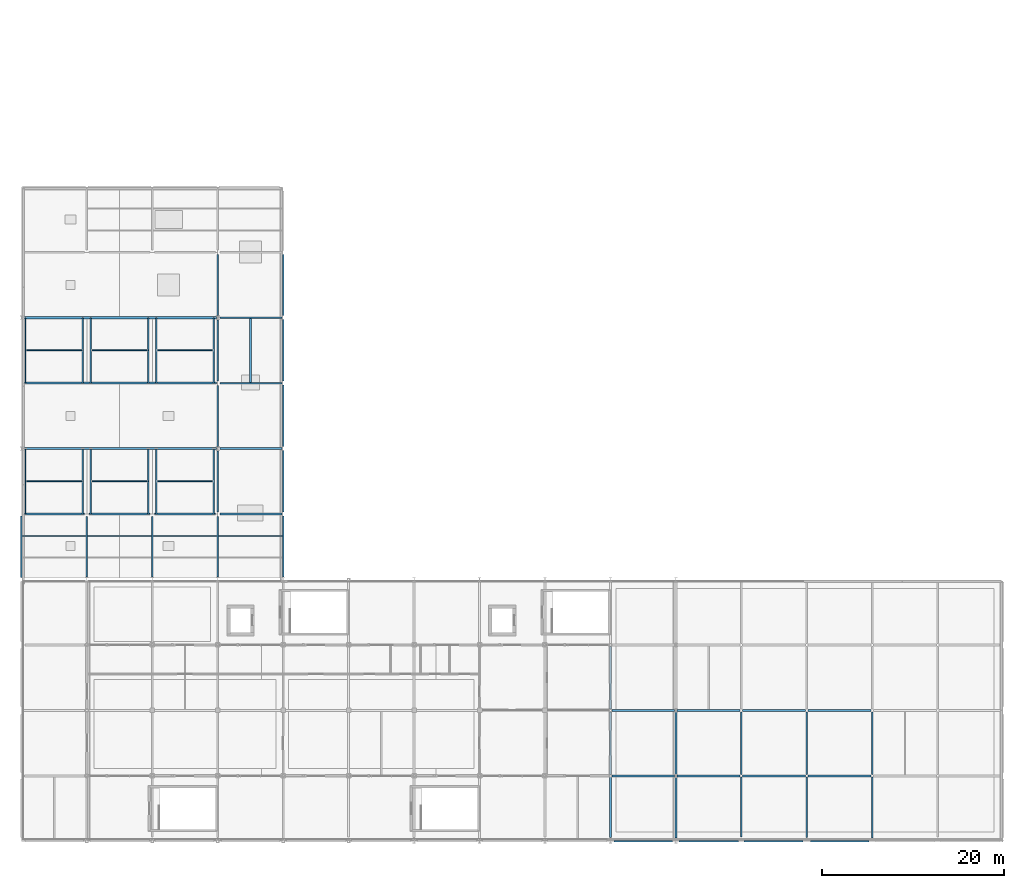
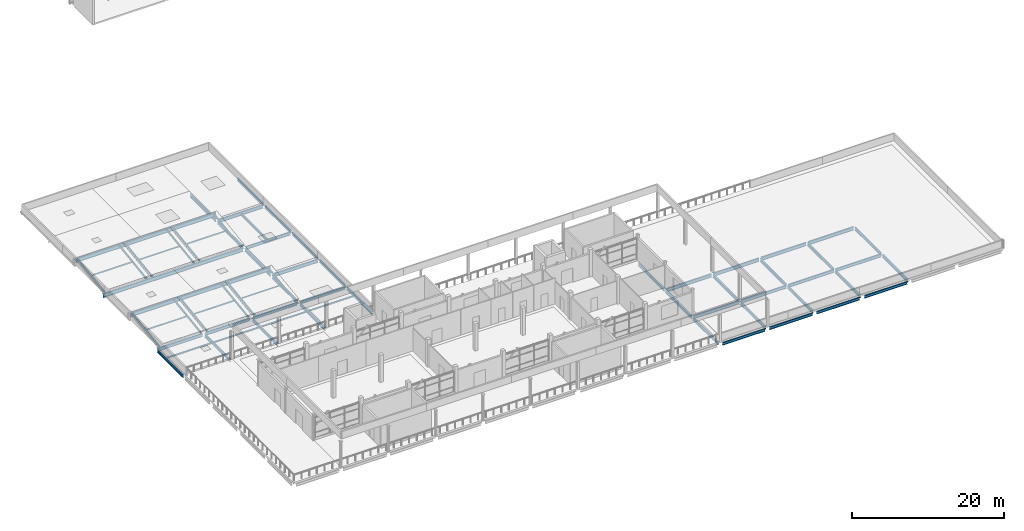
# One storey, part 13 of 32: 47 beams, 22 members.
"""IFC4 building model written with IfcOpenShell, lengths in metres."""

from ifc_helpers import new_model, si_unit, direction, frame, origin, origin_2d, place, context, subcontext, project, spatial, hollow_rectangle, i_section, extrude, material, material_profile, profile_set, type_object, element, save


model = new_model("IFC4")

# Units and contexts
model_context = context("Model", 3, precision=1e-05, world=origin(), true_north=direction((0.0, 1.0)))
body_context = subcontext(model_context, "Body", "Model", "MODEL_VIEW")
ifc_project = project(units=[si_unit("LENGTHUNIT", "METRE"), si_unit("AREAUNIT", "SQUARE_METRE"), si_unit("VOLUMEUNIT", "CUBIC_METRE"), si_unit("PLANEANGLEUNIT", "RADIAN"), si_unit("MASSUNIT", "GRAM", prefix="KILO")], contexts=[model_context])

# Site, building, storey
site_placement = place(None, origin())
site = spatial("IfcSite", under=ifc_project, at=site_placement, CompositionType="ELEMENT")
building_placement = place(site_placement, origin())
building = spatial("IfcBuilding", under=site, at=building_placement, Name="Sardonyx Promenade Sports Hall", CompositionType="ELEMENT")
storey_placement = place(building_placement, frame((0.0, 0.0, 20.39990234375)))
storey = spatial("IfcBuildingStorey", under=building, at=storey_placement, Name="L04", CompositionType="ELEMENT", Elevation=20.39990234375)

# Beams
ifc_material_1 = material(Name="Steel S355JR", Category="steel")
ifc_material_profile_1 = material_profile(ifc_material_1, i_section(OverallWidth=0.228271484375, OverallDepth=0.607666015625, WebThickness=0.010986328125, FlangeThickness=0.017333984375, at=origin_2d()))
ifc_profile_set_1 = profile_set([ifc_material_profile_1], Name="Steel S355JR")
beam_type_1 = type_object("IfcBeamType", Name="Bm_Girder_UB610", PredefinedType="BEAM", material=ifc_profile_set_1)
for number, where, z_axis, x_axis, name in (
    (1, (0.14990234375, 43.199951171875, 0.728271484375), (1.0, 0.0, 0.0), (0.0, 1.0, 0.0), "Clerestory high-edge girder Y=43.2"),
    (2, (0.14990234375, 57.60009765625, 0.728271484375), (1.0, 0.0, 0.0), (0.0, 1.0, 0.0), "Clerestory high-edge girder Y=57.6"),
    (3, (0.14990234375, 50.39990234375, -0.53369140625), (1.0, 0.0, 0.0), (0.0, 1.0, 0.0), "Climbing roof low-edge girder Y=50.4"),
):
    element("IfcBeam", number, at=place(storey_placement, frame(where, z_axis=z_axis, x_axis=x_axis)), inside=storey, type_object=beam_type_1, Name=name, PredefinedType="BEAM", context=body_context, shape_type="SweptSolid", body=[
        extrude(i_section(OverallWidth=0.228271484375, OverallDepth=0.607666015625, WebThickness=0.010986328125, FlangeThickness=0.017333984375, at=origin_2d()), origin(), (0.0, 0.0, 1.0), 21.300048828125),
    ])
ifc_material_2 = material(Name="Steel S355JR", Category="steel")
ifc_material_profile_2 = material_profile(ifc_material_2, i_section(OverallWidth=0.179931640625, OverallDepth=0.39990234375, WebThickness=0.008544921875, FlangeThickness=0.013427734375, at=origin_2d()))
ifc_profile_set_2 = profile_set([ifc_material_profile_2], Name="Steel S355JR")
beam_type_2 = type_object("IfcBeamType", Name="Bm_Joist_IPE400", PredefinedType="JOIST", material=ifc_profile_set_2)
beam_1_placement = place(storey_placement, frame((25.199951171875, 50.5, -0.429931640625), z_axis=(0.0, 1.0, 0.0), x_axis=(-1.0, 0.0, 0.0)))
element("IfcBeam", 4, at=beam_1_placement, inside=storey, type_object=beam_type_2, Name="Secondary joist SJ02 L04 #1094", PredefinedType="JOIST", context=body_context, shape_type="SweptSolid", body=[
    extrude(i_section(OverallWidth=0.179931640625, OverallDepth=0.39990234375, WebThickness=0.008544921875, FlangeThickness=0.013427734375, at=origin_2d()), origin(), (0.0, 0.0, 1.0), 6.9951171875),
])
ifc_material_3 = material(Name="Steel S355JR", Category="steel")
ifc_material_profile_3 = material_profile(ifc_material_3, i_section(OverallWidth=0.199951171875, OverallDepth=0.5, WebThickness=0.01025390625, FlangeThickness=0.01611328125, at=origin_2d()))
ifc_profile_set_3 = profile_set([ifc_material_profile_3], Name="Steel S355JR")
beam_type_3 = type_object("IfcBeamType", Name="Bm_Primary_IPE500", PredefinedType="BEAM", material=ifc_profile_set_3)
for number, where, z_axis, x_axis, name in (
    (5, (64.949951171875, 7.199951171875, -0.510009765625), (1.0, 0.0, 0.0), (0.0, 1.0, 0.0), "Beam SB06 L04 #960"),
    (6, (72.14990234375, 7.199951171875, -0.510009765625), (1.0, 0.0, 0.0), (0.0, 1.0, 0.0), "Beam SB06 L04 #961"),
):
    element("IfcBeam", number, at=place(storey_placement, frame(where, z_axis=z_axis, x_axis=x_axis)), inside=storey, type_object=beam_type_3, Name=name, PredefinedType="BEAM", context=body_context, shape_type="SweptSolid", body=[
        extrude(i_section(OverallWidth=0.199951171875, OverallDepth=0.5, WebThickness=0.01025390625, FlangeThickness=0.01611328125, at=origin_2d()), origin(), (0.0, 0.0, 1.0), 6.900146484375),
    ])
for number, where, z_axis, x_axis, name in (
    (7, (79.35009765625, 7.199951171875, -0.510009765625), (1.0, 0.0, 0.0), (0.0, 1.0, 0.0), "Beam SB06 L04 #962"),
    (8, (86.550048828125, 7.199951171875, -0.510009765625), (1.0, 0.0, 0.0), (0.0, 1.0, 0.0), "Beam SB06 L04 #963"),
):
    element("IfcBeam", number, at=place(storey_placement, frame(where, z_axis=z_axis, x_axis=x_axis)), inside=storey, type_object=beam_type_3, Name=name, PredefinedType="BEAM", context=body_context, shape_type="SweptSolid", body=[
        extrude(i_section(OverallWidth=0.199951171875, OverallDepth=0.5, WebThickness=0.01025390625, FlangeThickness=0.01611328125, at=origin_2d()), origin(), (0.0, 0.0, 1.0), 6.89990234375),
    ])
beam_2_placement = place(storey_placement, frame((0.14990234375, 36.0, -0.47998046875), z_axis=(1.0, 0.0, 0.0), x_axis=(0.0, 1.0, 0.0)))
element("IfcBeam", 9, at=beam_2_placement, inside=storey, type_object=beam_type_3, Name="Beam SB06 L04 #996", PredefinedType="BEAM", context=body_context, shape_type="SweptSolid", body=[
    extrude(i_section(OverallWidth=0.199951171875, OverallDepth=0.5, WebThickness=0.01025390625, FlangeThickness=0.01611328125, at=origin_2d()), origin(), (0.0, 0.0, 1.0), 6.800048828125),
])
beam_3_placement = place(storey_placement, frame((7.449951171875, 36.0, -0.47998046875), z_axis=(1.0, 0.0, 0.0), x_axis=(0.0, 1.0, 0.0)))
element("IfcBeam", 10, at=beam_3_placement, inside=storey, type_object=beam_type_3, Name="Beam SB06 L04 #997", PredefinedType="BEAM", context=body_context, shape_type="SweptSolid", body=[
    extrude(i_section(OverallWidth=0.199951171875, OverallDepth=0.5, WebThickness=0.01025390625, FlangeThickness=0.01611328125, at=origin_2d()), origin(), (0.0, 0.0, 1.0), 6.699951171875),
])
beam_4_placement = place(storey_placement, frame((14.64990234375, 36.0, -0.47998046875), z_axis=(1.0, 0.0, 0.0), x_axis=(0.0, 1.0, 0.0)))
element("IfcBeam", 11, at=beam_4_placement, inside=storey, type_object=beam_type_3, Name="Beam SB06 L04 #998", PredefinedType="BEAM", context=body_context, shape_type="SweptSolid", body=[
    extrude(i_section(OverallWidth=0.199951171875, OverallDepth=0.5, WebThickness=0.01025390625, FlangeThickness=0.01611328125, at=origin_2d()), origin(), (0.0, 0.0, 1.0), 6.7001953125),
])
for number, where, z_axis, x_axis, name in (
    (12, (21.85009765625, 36.0, -0.47998046875), (1.0, 0.0, 0.0), (0.0, 1.0, 0.0), "Beam SB06 L04 #999"),
    (13, (21.85009765625, 50.39990234375, -0.47998046875), (1.0, 0.0, 0.0), (0.0, 1.0, 0.0), "Beam SB06 L04 #1001"),
):
    element("IfcBeam", number, at=place(storey_placement, frame(where, z_axis=z_axis, x_axis=x_axis)), inside=storey, type_object=beam_type_3, Name=name, PredefinedType="BEAM", context=body_context, shape_type="SweptSolid", body=[
        extrude(i_section(OverallWidth=0.199951171875, OverallDepth=0.5, WebThickness=0.01025390625, FlangeThickness=0.01611328125, at=origin_2d()), origin(), (0.0, 0.0, 1.0), 6.7998046875),
    ])
for number, where, z_axis, x_axis, name in (
    (14, (7.199951171875, 29.050048828125, -0.47998046875), (0.0, 1.0, 0.0), (-1.0, 0.0, 0.0), "Beam SB06 L04 #1020"),
    (15, (14.39990234375, 29.050048828125, -0.47998046875), (0.0, 1.0, 0.0), (-1.0, 0.0, 0.0), "Beam SB06 L04 #1026"),
    (16, (21.60009765625, 29.050048828125, -0.47998046875), (0.0, 1.0, 0.0), (-1.0, 0.0, 0.0), "Beam SB06 L04 #1032"),
    (17, (21.60009765625, 36.25, -0.47998046875), (0.0, 1.0, 0.0), (-1.0, 0.0, 0.0), "Beam SB06 L04 #1033"),
    (18, (21.60009765625, 43.449951171875, -0.47998046875), (0.0, 1.0, 0.0), (-1.0, 0.0, 0.0), "Beam SB06 L04 #1034"),
):
    element("IfcBeam", number, at=place(storey_placement, frame(where, z_axis=z_axis, x_axis=x_axis)), inside=storey, type_object=beam_type_3, Name=name, PredefinedType="BEAM", context=body_context, shape_type="SweptSolid", body=[
        extrude(i_section(OverallWidth=0.199951171875, OverallDepth=0.5, WebThickness=0.01025390625, FlangeThickness=0.01611328125, at=origin_2d()), origin(), (0.0, 0.0, 1.0), 6.699951171875),
    ])
beam_5_placement = place(storey_placement, frame((21.60009765625, 50.64990234375, -0.47998046875), z_axis=(0.0, 1.0, 0.0), x_axis=(-1.0, 0.0, 0.0)))
element("IfcBeam", 19, at=beam_5_placement, inside=storey, type_object=beam_type_3, Name="Beam SB06 L04 #1035", PredefinedType="BEAM", context=body_context, shape_type="SweptSolid", body=[
    extrude(i_section(OverallWidth=0.199951171875, OverallDepth=0.5, WebThickness=0.01025390625, FlangeThickness=0.01611328125, at=origin_2d()), origin(), (0.0, 0.0, 1.0), 6.7001953125),
])
beam_6_placement = place(storey_placement, frame((21.60009765625, 57.85009765625, -0.47998046875), z_axis=(0.0, 1.0, 0.0), x_axis=(-1.0, 0.0, 0.0)))
element("IfcBeam", 20, at=beam_6_placement, inside=storey, type_object=beam_type_3, Name="Beam SB06 L04 #1036", PredefinedType="BEAM", context=body_context, shape_type="SweptSolid", body=[
    extrude(i_section(OverallWidth=0.199951171875, OverallDepth=0.5, WebThickness=0.01025390625, FlangeThickness=0.01611328125, at=origin_2d()), origin(), (0.0, 0.0, 1.0), 6.699951171875),
])
beam_7_placement = place(storey_placement, frame((28.800048828125, 29.050048828125, -0.47998046875), z_axis=(0.0, 1.0, 0.0), x_axis=(-1.0, 0.0, 0.0)))
element("IfcBeam", 21, at=beam_7_placement, inside=storey, type_object=beam_type_3, Name="Beam SB06 L04 #1042", PredefinedType="BEAM", context=body_context, shape_type="SweptSolid", body=[
    extrude(i_section(OverallWidth=0.199951171875, OverallDepth=0.5, WebThickness=0.01025390625, FlangeThickness=0.01611328125, at=origin_2d()), origin(), (0.0, 0.0, 1.0), 6.72998046875),
])
beam_8_placement = place(storey_placement, frame((64.800048828125, 0.39990234375, -0.510009765625), z_axis=(0.0, 1.0, 0.0), x_axis=(-1.0, 0.0, 0.0)))
element("IfcBeam", 22, at=beam_8_placement, inside=storey, type_object=beam_type_3, Name="Beam SB06 L04 #1064", PredefinedType="BEAM", context=body_context, shape_type="SweptSolid", body=[
    extrude(i_section(OverallWidth=0.199951171875, OverallDepth=0.5, WebThickness=0.01025390625, FlangeThickness=0.01611328125, at=origin_2d()), origin(), (0.0, 0.0, 1.0), 6.650146484375),
])
for number, where, z_axis, x_axis, name in (
    (23, (64.800048828125, 7.35009765625, -0.52001953125), (0.0, 1.0, 0.0), (-1.0, 0.0, 0.0), "Beam SB06 L04 #1065"),
    (24, (64.800048828125, 14.550048828125, -0.52001953125), (0.0, 1.0, 0.0), (-1.0, 0.0, 0.0), "Beam SB06 L04 #1066"),
):
    element("IfcBeam", number, at=place(storey_placement, frame(where, z_axis=z_axis, x_axis=x_axis)), inside=storey, type_object=beam_type_3, Name=name, PredefinedType="BEAM", context=body_context, shape_type="SweptSolid", body=[
        extrude(i_section(OverallWidth=0.199951171875, OverallDepth=0.5, WebThickness=0.01025390625, FlangeThickness=0.01611328125, at=origin_2d()), origin(), (0.0, 0.0, 1.0), 6.89990234375),
    ])
beam_9_placement = place(storey_placement, frame((72.0, 0.35009765625, -0.510009765625), z_axis=(0.0, 1.0, 0.0), x_axis=(-1.0, 0.0, 0.0)))
element("IfcBeam", 25, at=beam_9_placement, inside=storey, type_object=beam_type_3, Name="Beam SB06 L04 #1068", PredefinedType="BEAM", context=body_context, shape_type="SweptSolid", body=[
    extrude(i_section(OverallWidth=0.199951171875, OverallDepth=0.5, WebThickness=0.01025390625, FlangeThickness=0.01611328125, at=origin_2d()), origin(), (0.0, 0.0, 1.0), 6.699951171875),
])
beam_10_placement = place(storey_placement, frame((72.0, 7.35009765625, -0.510009765625), z_axis=(0.0, 1.0, 0.0), x_axis=(-1.0, 0.0, 0.0)))
element("IfcBeam", 26, at=beam_10_placement, inside=storey, type_object=beam_type_3, Name="Beam SB06 L04 #1069", PredefinedType="BEAM", context=body_context, shape_type="SweptSolid", body=[
    extrude(i_section(OverallWidth=0.199951171875, OverallDepth=0.5, WebThickness=0.01025390625, FlangeThickness=0.01611328125, at=origin_2d()), origin(), (0.0, 0.0, 1.0), 6.89990234375),
])
beam_11_placement = place(storey_placement, frame((79.199951171875, 0.449951171875, -0.510009765625), z_axis=(0.0, 1.0, 0.0), x_axis=(-1.0, 0.0, 0.0)))
element("IfcBeam", 27, at=beam_11_placement, inside=storey, type_object=beam_type_3, Name="Beam SB06 L04 #1072", PredefinedType="BEAM", context=body_context, shape_type="SweptSolid", body=[
    extrude(i_section(OverallWidth=0.199951171875, OverallDepth=0.5, WebThickness=0.01025390625, FlangeThickness=0.01611328125, at=origin_2d()), origin(), (0.0, 0.0, 1.0), 6.60009765625),
])
beam_12_placement = place(storey_placement, frame((79.199951171875, 7.35009765625, -0.510009765625), z_axis=(0.0, 1.0, 0.0), x_axis=(-1.0, 0.0, 0.0)))
element("IfcBeam", 28, at=beam_12_placement, inside=storey, type_object=beam_type_3, Name="Beam SB06 L04 #1073", PredefinedType="BEAM", context=body_context, shape_type="SweptSolid", body=[
    extrude(i_section(OverallWidth=0.199951171875, OverallDepth=0.5, WebThickness=0.01025390625, FlangeThickness=0.01611328125, at=origin_2d()), origin(), (0.0, 0.0, 1.0), 6.89990234375),
])
beam_13_placement = place(storey_placement, frame((86.39990234375, 0.39990234375, -0.510009765625), z_axis=(0.0, 1.0, 0.0), x_axis=(-1.0, 0.0, 0.0)))
element("IfcBeam", 29, at=beam_13_placement, inside=storey, type_object=beam_type_3, Name="Beam SB06 L04 #1076", PredefinedType="BEAM", context=body_context, shape_type="SweptSolid", body=[
    extrude(i_section(OverallWidth=0.199951171875, OverallDepth=0.5, WebThickness=0.01025390625, FlangeThickness=0.01611328125, at=origin_2d()), origin(), (0.0, 0.0, 1.0), 6.650146484375),
])
beam_14_placement = place(storey_placement, frame((86.39990234375, 7.35009765625, -0.510009765625), z_axis=(0.0, 1.0, 0.0), x_axis=(-1.0, 0.0, 0.0)))
element("IfcBeam", 30, at=beam_14_placement, inside=storey, type_object=beam_type_3, Name="Beam SB06 L04 #1077", PredefinedType="BEAM", context=body_context, shape_type="SweptSolid", body=[
    extrude(i_section(OverallWidth=0.199951171875, OverallDepth=0.5, WebThickness=0.01025390625, FlangeThickness=0.01611328125, at=origin_2d()), origin(), (0.0, 0.0, 1.0), 6.89990234375),
])
beam_15_placement = place(storey_placement, frame((93.60009765625, 0.35009765625, -0.510009765625), z_axis=(0.0, 1.0, 0.0), x_axis=(-1.0, 0.0, 0.0)))
element("IfcBeam", 31, at=beam_15_placement, inside=storey, type_object=beam_type_3, Name="Beam SB06 L04 #1080", PredefinedType="BEAM", context=body_context, shape_type="SweptSolid", body=[
    extrude(i_section(OverallWidth=0.199951171875, OverallDepth=0.5, WebThickness=0.01025390625, FlangeThickness=0.01611328125, at=origin_2d()), origin(), (0.0, 0.0, 1.0), 6.699951171875),
])
beam_16_placement = place(storey_placement, frame((93.60009765625, 7.35009765625, -0.510009765625), z_axis=(0.0, 1.0, 0.0), x_axis=(-1.0, 0.0, 0.0)))
element("IfcBeam", 32, at=beam_16_placement, inside=storey, type_object=beam_type_3, Name="Beam SB06 L04 #1081", PredefinedType="BEAM", context=body_context, shape_type="SweptSolid", body=[
    extrude(i_section(OverallWidth=0.199951171875, OverallDepth=0.5, WebThickness=0.01025390625, FlangeThickness=0.01611328125, at=origin_2d()), origin(), (0.0, 0.0, 1.0), 6.89990234375),
])
ifc_material_4 = material(Name="Steel S355JR", Category="steel")
ifc_material_profile_4 = material_profile(ifc_material_4, i_section(OverallWidth=0.2099609375, OverallDepth=0.550048828125, WebThickness=0.010986328125, FlangeThickness=0.01708984375, at=origin_2d()))
ifc_profile_set_4 = profile_set([ifc_material_profile_4], Name="Steel S355JR")
beam_type_4 = type_object("IfcBeamType", Name="Bm_Primary_IPE550", PredefinedType="BEAM", material=ifc_profile_set_4)
for number, where, z_axis, x_axis, name in (
    (33, (64.949951171875, 14.39990234375, -0.534912109375), (1.0, 0.0, 0.0), (0.0, 1.0, 0.0), "Beam SB03 L04 #975"),
    (34, (72.14990234375, 14.39990234375, -0.534912109375), (1.0, 0.0, 0.0), (0.0, 1.0, 0.0), "Beam SB03 L04 #976"),
):
    element("IfcBeam", number, at=place(storey_placement, frame(where, z_axis=z_axis, x_axis=x_axis)), inside=storey, type_object=beam_type_4, Name=name, PredefinedType="BEAM", context=body_context, shape_type="SweptSolid", body=[
        extrude(i_section(OverallWidth=0.2099609375, OverallDepth=0.550048828125, WebThickness=0.010986328125, FlangeThickness=0.01708984375, at=origin_2d()), origin(), (0.0, 0.0, 1.0), 6.900146484375),
    ])
for number, where, z_axis, x_axis, name in (
    (35, (79.35009765625, 14.39990234375, -0.534912109375), (1.0, 0.0, 0.0), (0.0, 1.0, 0.0), "Beam SB03 L04 #977"),
    (36, (86.550048828125, 14.39990234375, -0.534912109375), (1.0, 0.0, 0.0), (0.0, 1.0, 0.0), "Beam SB03 L04 #978"),
):
    element("IfcBeam", number, at=place(storey_placement, frame(where, z_axis=z_axis, x_axis=x_axis)), inside=storey, type_object=beam_type_4, Name=name, PredefinedType="BEAM", context=body_context, shape_type="SweptSolid", body=[
        extrude(i_section(OverallWidth=0.2099609375, OverallDepth=0.550048828125, WebThickness=0.010986328125, FlangeThickness=0.01708984375, at=origin_2d()), origin(), (0.0, 0.0, 1.0), 6.89990234375),
    ])
for number, where, z_axis, x_axis, name in (
    (37, (21.85009765625, 43.199951171875, -0.5048828125), (1.0, 0.0, 0.0), (0.0, 1.0, 0.0), "Beam SB03 L04 #1000"),
    (38, (21.85009765625, 57.60009765625, -0.5048828125), (1.0, 0.0, 0.0), (0.0, 1.0, 0.0), "Beam SB03 L04 #1002"),
):
    element("IfcBeam", number, at=place(storey_placement, frame(where, z_axis=z_axis, x_axis=x_axis)), inside=storey, type_object=beam_type_4, Name=name, PredefinedType="BEAM", context=body_context, shape_type="SweptSolid", body=[
        extrude(i_section(OverallWidth=0.2099609375, OverallDepth=0.550048828125, WebThickness=0.010986328125, FlangeThickness=0.01708984375, at=origin_2d()), origin(), (0.0, 0.0, 1.0), 6.7998046875),
    ])
ifc_material_5 = material(Name="Steel S355JR", Category="steel")
ifc_material_profile_5 = material_profile(ifc_material_5, i_section(OverallWidth=0.18994140625, OverallDepth=0.449951171875, WebThickness=0.009521484375, FlangeThickness=0.0146484375, at=origin_2d()))
ifc_profile_set_5 = profile_set([ifc_material_profile_5], Name="Steel S355JR")
beam_type_5 = type_object("IfcBeamType", Name="Bm_Spandrel_Steel", PredefinedType="SPANDREL", material=ifc_profile_set_5)
beam_17_placement = place(storey_placement, frame((65.199951171875, 0.0, -0.48486328125), z_axis=(1.0, 0.0, 0.0), x_axis=(0.0, 1.0, 0.0)))
element("IfcBeam", 39, at=beam_17_placement, inside=storey, type_object=beam_type_5, Name="Beam SPB3 L04 #945", PredefinedType="SPANDREL", context=body_context, shape_type="SweptSolid", body=[
    extrude(i_section(OverallWidth=0.18994140625, OverallDepth=0.449951171875, WebThickness=0.009521484375, FlangeThickness=0.0146484375, at=origin_2d()), origin(), (0.0, 0.0, 1.0), 6.449951171875),
])
beam_18_placement = place(storey_placement, frame((72.35009765625, 0.0, -0.48486328125), z_axis=(1.0, 0.0, 0.0), x_axis=(0.0, 1.0, 0.0)))
element("IfcBeam", 40, at=beam_18_placement, inside=storey, type_object=beam_type_5, Name="Beam SPB3 L04 #946", PredefinedType="SPANDREL", context=body_context, shape_type="SweptSolid", body=[
    extrude(i_section(OverallWidth=0.18994140625, OverallDepth=0.449951171875, WebThickness=0.009521484375, FlangeThickness=0.0146484375, at=origin_2d()), origin(), (0.0, 0.0, 1.0), 6.5498046875),
])
beam_19_placement = place(storey_placement, frame((79.5, 0.0, -0.48486328125), z_axis=(1.0, 0.0, 0.0), x_axis=(0.0, 1.0, 0.0)))
element("IfcBeam", 41, at=beam_19_placement, inside=storey, type_object=beam_type_5, Name="Beam SPB3 L04 #947", PredefinedType="SPANDREL", context=body_context, shape_type="SweptSolid", body=[
    extrude(i_section(OverallWidth=0.18994140625, OverallDepth=0.449951171875, WebThickness=0.009521484375, FlangeThickness=0.0146484375, at=origin_2d()), origin(), (0.0, 0.0, 1.0), 6.5),
])
beam_20_placement = place(storey_placement, frame((86.800048828125, 0.0, -0.48486328125), z_axis=(1.0, 0.0, 0.0), x_axis=(0.0, 1.0, 0.0)))
element("IfcBeam", 42, at=beam_20_placement, inside=storey, type_object=beam_type_5, Name="Beam SPB3 L04 #948", PredefinedType="SPANDREL", context=body_context, shape_type="SweptSolid", body=[
    extrude(i_section(OverallWidth=0.18994140625, OverallDepth=0.449951171875, WebThickness=0.009521484375, FlangeThickness=0.0146484375, at=origin_2d()), origin(), (0.0, 0.0, 1.0), 6.449951171875),
])
for number, where, z_axis, x_axis, name in (
    (43, (0.0, 29.02001953125, -0.454833984375), (0.0, 1.0, 0.0), (-1.0, 0.0, 0.0), "Beam SPB3 L04 #1015"),
    (44, (28.800048828125, 36.219970703125, -0.454833984375), (0.0, 1.0, 0.0), (-1.0, 0.0, 0.0), "Beam SPB3 L04 #1043"),
    (45, (28.800048828125, 43.419921875, -0.454833984375), (0.0, 1.0, 0.0), (-1.0, 0.0, 0.0), "Beam SPB3 L04 #1044"),
):
    element("IfcBeam", number, at=place(storey_placement, frame(where, z_axis=z_axis, x_axis=x_axis)), inside=storey, type_object=beam_type_5, Name=name, PredefinedType="SPANDREL", context=body_context, shape_type="SweptSolid", body=[
        extrude(i_section(OverallWidth=0.18994140625, OverallDepth=0.449951171875, WebThickness=0.009521484375, FlangeThickness=0.0146484375, at=origin_2d()), origin(), (0.0, 0.0, 1.0), 6.760009765625),
    ])
beam_21_placement = place(storey_placement, frame((28.800048828125, 50.6201171875, -0.454833984375), z_axis=(0.0, 1.0, 0.0), x_axis=(-1.0, 0.0, 0.0)))
element("IfcBeam", 46, at=beam_21_placement, inside=storey, type_object=beam_type_5, Name="Beam SPB3 L04 #1045", PredefinedType="SPANDREL", context=body_context, shape_type="SweptSolid", body=[
    extrude(i_section(OverallWidth=0.18994140625, OverallDepth=0.449951171875, WebThickness=0.009521484375, FlangeThickness=0.0146484375, at=origin_2d()), origin(), (0.0, 0.0, 1.0), 6.759765625),
])
beam_22_placement = place(storey_placement, frame((28.800048828125, 57.820068359375, -0.454833984375), z_axis=(0.0, 1.0, 0.0), x_axis=(-1.0, 0.0, 0.0)))
element("IfcBeam", 47, at=beam_22_placement, inside=storey, type_object=beam_type_5, Name="Beam SPB3 L04 #1046", PredefinedType="SPANDREL", context=body_context, shape_type="SweptSolid", body=[
    extrude(i_section(OverallWidth=0.18994140625, OverallDepth=0.449951171875, WebThickness=0.009521484375, FlangeThickness=0.0146484375, at=origin_2d()), origin(), (0.0, 0.0, 1.0), 6.760009765625),
])

# Members
ifc_material_6 = material(Name="Steel S355JR", Category="steel")
ifc_material_profile_6 = material_profile(ifc_material_6, i_section(OverallWidth=0.1201171875, OverallDepth=0.239990234375, WebThickness=0.006103515625, FlangeThickness=0.009765625, at=origin_2d()))
ifc_profile_set_6 = profile_set([ifc_material_profile_6], Name="Steel S355JR")
member_type_1 = type_object("IfcMemberType", Name="Mbr_Purlin_IPE240", PredefinedType="PURLIN", material=ifc_profile_set_6)
member_placement = place(storey_placement, frame((0.093017578125, 33.60009765625, -0.349853515625), z_axis=(1.0, 0.0, 0.0), x_axis=(0.0, 1.0, 0.0)))
element("IfcMember", 48, at=member_placement, inside=storey, type_object=member_type_1, Name="Roof purlin PR01 L04 #2", PredefinedType="PURLIN", context=body_context, shape_type="SweptSolid", body=[
    extrude(i_section(OverallWidth=0.1201171875, OverallDepth=0.239990234375, WebThickness=0.006103515625, FlangeThickness=0.009765625, at=origin_2d()), origin(), (0.0, 0.0, 1.0), 7.009033203125),
])
for number, where, z_axis, x_axis, name in (
    (49, (7.298095703125, 33.60009765625, -0.349853515625), (1.0, 0.0, 0.0), (0.0, 1.0, 0.0), "Roof purlin PR01 L04 #4"),
    (50, (14.498046875, 33.60009765625, -0.349853515625), (1.0, 0.0, 0.0), (0.0, 1.0, 0.0), "Roof purlin PR01 L04 #8"),
    (51, (21.697998046875, 33.60009765625, -0.349853515625), (1.0, 0.0, 0.0), (0.0, 1.0, 0.0), "Roof purlin PR01 L04 #12"),
):
    element("IfcMember", number, at=place(storey_placement, frame(where, z_axis=z_axis, x_axis=x_axis)), inside=storey, type_object=member_type_1, Name=name, PredefinedType="PURLIN", context=body_context, shape_type="SweptSolid", body=[
        extrude(i_section(OverallWidth=0.1201171875, OverallDepth=0.239990234375, WebThickness=0.006103515625, FlangeThickness=0.009765625, at=origin_2d()), origin(), (0.0, 0.0, 1.0), 7.00390625),
    ])
ifc_material_7 = material(Name="Steel S355JR", Category="steel")
ifc_material_profile_7 = material_profile(ifc_material_7, hollow_rectangle(XDim=0.10009765625, YDim=0.199951171875, WallThickness=0.008056640625, at=origin_2d()))
ifc_profile_set_7 = profile_set([ifc_material_profile_7], Name="Steel S355JR")
member_type_2 = type_object("IfcMemberType", Name="Mbr_Purlin_RHS200", PredefinedType="PURLIN", material=ifc_profile_set_7)
for number, where, z_axis, x_axis, name in (
    (52, (0.52294921875, 39.60009765625, 0.406005859375), (1.0, 0.0, 0.0), (0.0, 1.0, 0.0), "Clerestory purlin PR03 L04 #51"),
    (53, (0.52294921875, 54.0, 0.406005859375), (1.0, 0.0, 0.0), (0.0, 1.0, 0.0), "Clerestory purlin PR03 L04 #52"),
    (54, (7.722900390625, 39.60009765625, 0.406005859375), (1.0, 0.0, 0.0), (0.0, 1.0, 0.0), "Clerestory purlin PR03 L04 #53"),
    (55, (7.722900390625, 54.0, 0.406005859375), (1.0, 0.0, 0.0), (0.0, 1.0, 0.0), "Clerestory purlin PR03 L04 #54"),
):
    element("IfcMember", number, at=place(storey_placement, frame(where, z_axis=z_axis, x_axis=x_axis)), inside=storey, type_object=member_type_2, Name=name, PredefinedType="PURLIN", context=body_context, shape_type="SweptSolid", body=[
        extrude(hollow_rectangle(XDim=0.10009765625, YDim=0.199951171875, WallThickness=0.008056640625, at=origin_2d()), origin(), (0.0, 0.0, 1.0), 6.154052734375),
    ])
for number, where, z_axis, x_axis, name in (
    (56, (14.923095703125, 39.60009765625, 0.406005859375), (1.0, 0.0, 0.0), (0.0, 1.0, 0.0), "Clerestory purlin PR03 L04 #55"),
    (57, (14.923095703125, 54.0, 0.406005859375), (1.0, 0.0, 0.0), (0.0, 1.0, 0.0), "Clerestory purlin PR03 L04 #56"),
):
    element("IfcMember", number, at=place(storey_placement, frame(where, z_axis=z_axis, x_axis=x_axis)), inside=storey, type_object=member_type_2, Name=name, PredefinedType="PURLIN", context=body_context, shape_type="SweptSolid", body=[
        extrude(hollow_rectangle(XDim=0.10009765625, YDim=0.199951171875, WallThickness=0.008056640625, at=origin_2d()), origin(), (0.0, 0.0, 1.0), 6.15380859375),
    ])
ifc_material_8 = material(Name="Steel S355JR", Category="steel")
ifc_material_profile_8 = material_profile(ifc_material_8, hollow_rectangle(XDim=0.14990234375, YDim=0.300048828125, WallThickness=0.010009765625, at=origin_2d()))
ifc_profile_set_8 = profile_set([ifc_material_profile_8], Name="Steel S355JR")
member_type_3 = type_object("IfcMemberType", Name="Mbr_Rafter_RHS300", PredefinedType="RAFTER", material=ifc_profile_set_8)
for number, where, z_axis, x_axis, name in (
    (58, (0.449951171875, 36.0, -0.131591796875), (0.0, 0.990266632955, 0.139183316727), (-1.0, 0.0, 0.0), "Clerestory steel rafter #1"),
    (59, (6.75, 36.0, -0.131591796875), (0.0, 0.990266632955, 0.139183316727), (-1.0, 0.0, 0.0), "Clerestory steel rafter #1"),
):
    element("IfcMember", number, at=place(storey_placement, frame(where, z_axis=z_axis, x_axis=x_axis)), inside=storey, type_object=member_type_3, Name=name, PredefinedType="RAFTER", context=body_context, shape_type="SweptSolid", body=[
        extrude(hollow_rectangle(XDim=0.14990234375, YDim=0.300048828125, WallThickness=0.010009765625, at=origin_2d()), origin(), (0.0, 0.0, 1.0), 7.270751953125),
    ])
for number, where, z_axis, x_axis, name in (
    (60, (0.449951171875, 50.39990234375, -0.131591796875), (0.0, 0.990267283408, 0.139178688788), (-1.0, 0.0, 0.0), "Clerestory steel rafter #2"),
    (61, (6.75, 50.39990234375, -0.131591796875), (0.0, 0.990267283408, 0.139178688788), (-1.0, 0.0, 0.0), "Clerestory steel rafter #2"),
):
    element("IfcMember", number, at=place(storey_placement, frame(where, z_axis=z_axis, x_axis=x_axis)), inside=storey, type_object=member_type_3, Name=name, PredefinedType="RAFTER", context=body_context, shape_type="SweptSolid", body=[
        extrude(hollow_rectangle(XDim=0.14990234375, YDim=0.300048828125, WallThickness=0.010009765625, at=origin_2d()), origin(), (0.0, 0.0, 1.0), 7.27099609375),
    ])
for number, where, z_axis, x_axis, name in (
    (62, (7.64990234375, 36.0, -0.131591796875), (0.0, 0.990266632955, 0.139183316727), (-1.0, 0.0, 0.0), "Clerestory steel rafter #3"),
    (63, (13.949951171875, 36.0, -0.131591796875), (0.0, 0.990266632955, 0.139183316727), (-1.0, 0.0, 0.0), "Clerestory steel rafter #3"),
):
    element("IfcMember", number, at=place(storey_placement, frame(where, z_axis=z_axis, x_axis=x_axis)), inside=storey, type_object=member_type_3, Name=name, PredefinedType="RAFTER", context=body_context, shape_type="SweptSolid", body=[
        extrude(hollow_rectangle(XDim=0.14990234375, YDim=0.300048828125, WallThickness=0.010009765625, at=origin_2d()), origin(), (0.0, 0.0, 1.0), 7.270751953125),
    ])
for number, where, z_axis, x_axis, name in (
    (64, (7.64990234375, 50.39990234375, -0.131591796875), (0.0, 0.990267283408, 0.139178688788), (-1.0, 0.0, 0.0), "Clerestory steel rafter #4"),
    (65, (13.949951171875, 50.39990234375, -0.131591796875), (0.0, 0.990267283408, 0.139178688788), (-1.0, 0.0, 0.0), "Clerestory steel rafter #4"),
):
    element("IfcMember", number, at=place(storey_placement, frame(where, z_axis=z_axis, x_axis=x_axis)), inside=storey, type_object=member_type_3, Name=name, PredefinedType="RAFTER", context=body_context, shape_type="SweptSolid", body=[
        extrude(hollow_rectangle(XDim=0.14990234375, YDim=0.300048828125, WallThickness=0.010009765625, at=origin_2d()), origin(), (0.0, 0.0, 1.0), 7.27099609375),
    ])
for number, where, z_axis, x_axis, name in (
    (66, (14.85009765625, 36.0, -0.131591796875), (0.0, 0.990266632955, 0.139183316727), (-1.0, 0.0, 0.0), "Clerestory steel rafter #5"),
    (67, (21.14990234375, 36.0, -0.131591796875), (0.0, 0.990266632955, 0.139183316727), (-1.0, 0.0, 0.0), "Clerestory steel rafter #5"),
):
    element("IfcMember", number, at=place(storey_placement, frame(where, z_axis=z_axis, x_axis=x_axis)), inside=storey, type_object=member_type_3, Name=name, PredefinedType="RAFTER", context=body_context, shape_type="SweptSolid", body=[
        extrude(hollow_rectangle(XDim=0.14990234375, YDim=0.300048828125, WallThickness=0.010009765625, at=origin_2d()), origin(), (0.0, 0.0, 1.0), 7.270751953125),
    ])
for number, where, z_axis, x_axis, name in (
    (68, (14.85009765625, 50.39990234375, -0.131591796875), (0.0, 0.990267283408, 0.139178688788), (-1.0, 0.0, 0.0), "Clerestory steel rafter #6"),
    (69, (21.14990234375, 50.39990234375, -0.131591796875), (0.0, 0.990267283408, 0.139178688788), (-1.0, 0.0, 0.0), "Clerestory steel rafter #6"),
):
    element("IfcMember", number, at=place(storey_placement, frame(where, z_axis=z_axis, x_axis=x_axis)), inside=storey, type_object=member_type_3, Name=name, PredefinedType="RAFTER", context=body_context, shape_type="SweptSolid", body=[
        extrude(hollow_rectangle(XDim=0.14990234375, YDim=0.300048828125, WallThickness=0.010009765625, at=origin_2d()), origin(), (0.0, 0.0, 1.0), 7.27099609375),
    ])

save(model, "model.ifc")
